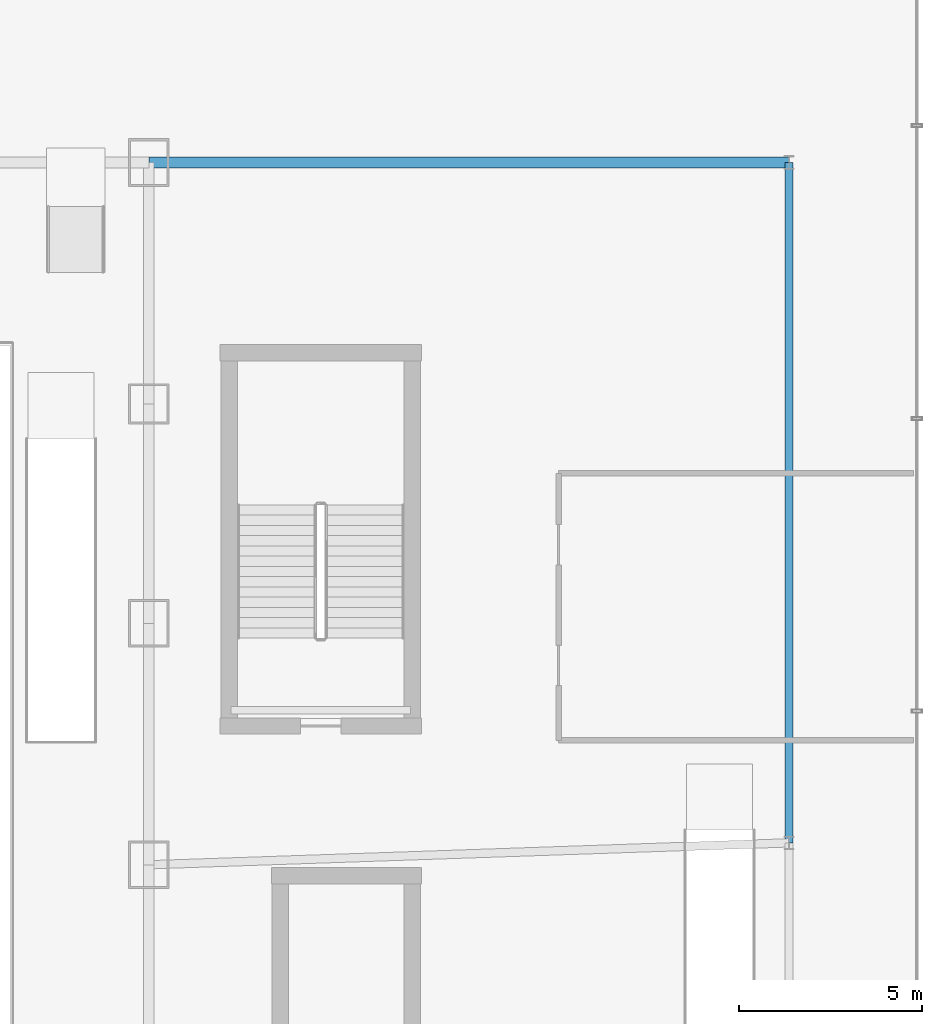
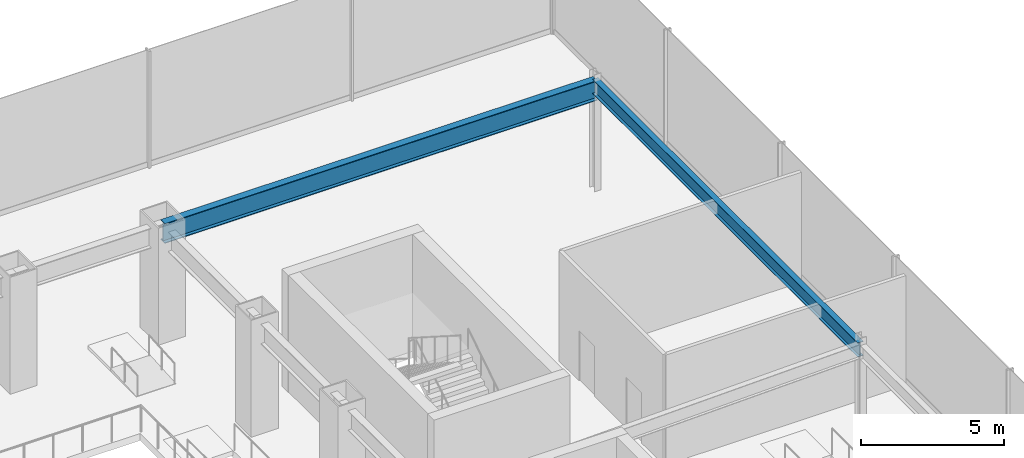
# One storey, part 24 of 39: 2 beams.
"""IFC4 building model written with IfcOpenShell, lengths in metres."""

from ifc_helpers import new_model, si_unit, derived_unit, direction, frame, origin, origin_2d, place, context, subcontext, project, spatial, i_section, extrude, source, transform, mapped, material, material_profile, profile_set, type_object, element, save


model = new_model("IFC4")

# Units and contexts
model_context = context("Model", 3, precision=1e-05, world=origin(), true_north=direction((0.0, 1.0)))
body_context = subcontext(model_context, "Body", "Model", "MODEL_VIEW")
ifc_project = project(units=[si_unit("LENGTHUNIT", "METRE"), si_unit("AREAUNIT", "SQUARE_METRE"), si_unit("VOLUMEUNIT", "CUBIC_METRE"), si_unit("PLANEANGLEUNIT", "RADIAN"), si_unit("MASSUNIT", "GRAM", prefix="KILO"), derived_unit("THERMALTRANSMITTANCEUNIT", [(si_unit("POWERUNIT", "WATT"), 1), (si_unit("LENGTHUNIT", "METRE"), -2), (si_unit("THERMODYNAMICTEMPERATUREUNIT", "KELVIN"), -1)])], contexts=[model_context])

# Site, building, storey
site_placement = place(None, origin())
site = spatial("IfcSite", under=ifc_project, at=site_placement, CompositionType="ELEMENT")
building_placement = place(site_placement, origin())
building = spatial("IfcBuilding", under=site, at=building_placement, Name="Skarnbrae Concourse Arena and Tower", CompositionType="ELEMENT")
storey_placement = place(building_placement, frame((0.0, 0.0, 11.0)))
storey = spatial("IfcBuildingStorey", under=building, at=storey_placement, Name="L02", CompositionType="ELEMENT", Elevation=11.0)

# Beams
ifc_material = material(Name="Steel CSA G40.21 350W", Category="steel")
ifc_material_profile_1 = material_profile(ifc_material, i_section(OverallWidth=0.2939453125, OverallDepth=0.85107421875, WebThickness=0.01611328125, FlangeThickness=0.02685546875, at=origin_2d()), Name="W840X226")
ifc_profile_set_1 = profile_set([ifc_material_profile_1], Name="Steel CSA G40.21 350W")
beam_type_1 = type_object("IfcBeamType", Name="BM-GIRD-W840X226", PredefinedType="BEAM", material=ifc_profile_set_1)
shared_shape_1 = source(origin(), body_context, "Body", "SweptSolid", [
    extrude(i_section(OverallWidth=0.2939453125, OverallDepth=0.85107421875, WebThickness=0.01611328125, FlangeThickness=0.02685546875, at=origin_2d()), origin(), (0.0, 0.0, 1.0), 17.5),
])
beam_1_placement = place(storey_placement, frame((61.0, 47.0, 4.2744140625), z_axis=(1.0, 0.0, 0.0), x_axis=(0.0, 1.0, 0.0)))
element("IfcBeam", 1, at=beam_1_placement, inside=storey, type_object=beam_type_1, Name="L02 Podium north girder 10", PredefinedType="BEAM", context=body_context, shape_type="MappedRepresentation", body=[
    mapped(shared_shape_1, transform((0.0, 0.0, 0.0))),
])
ifc_material_profile_2 = material_profile(ifc_material, i_section(OverallWidth=0.22802734375, OverallDepth=0.60791015625, WebThickness=0.01123046875, FlangeThickness=0.017333984375, at=origin_2d()), Name="W610X113")
ifc_profile_set_2 = profile_set([ifc_material_profile_2], Name="Steel CSA G40.21 350W")
beam_type_2 = type_object("IfcBeamType", Name="BM-GIRD-W610X113", PredefinedType="BEAM", material=ifc_profile_set_2)
shared_shape_2 = source(origin(), body_context, "Body", "SweptSolid", [
    extrude(i_section(OverallWidth=0.22802734375, OverallDepth=0.60791015625, WebThickness=0.01123046875, FlangeThickness=0.017333984375, at=origin_2d()), origin(), (0.0, 0.0, 1.0), 18.60009765625),
])
beam_2_placement = place(storey_placement, frame((78.5, 28.39990234375, 4.39599609375), z_axis=(0.0, 1.0, 0.0), x_axis=(-1.0, 0.0, 0.0)))
element("IfcBeam", 2, at=beam_2_placement, inside=storey, type_object=beam_type_2, Name="L02 Podium outer east girder 3", PredefinedType="BEAM", context=body_context, shape_type="MappedRepresentation", body=[
    mapped(shared_shape_2, transform((0.0, 0.0, 0.0))),
])

save(model, "model.ifc")
